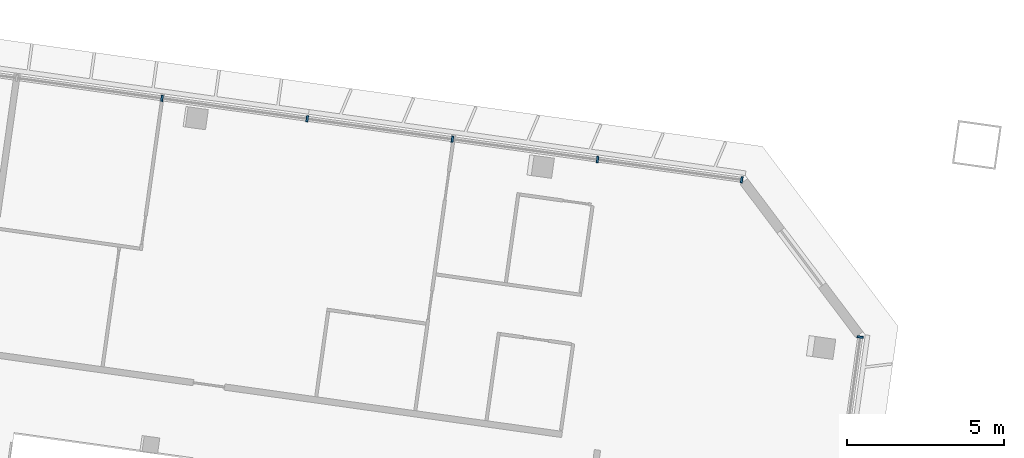
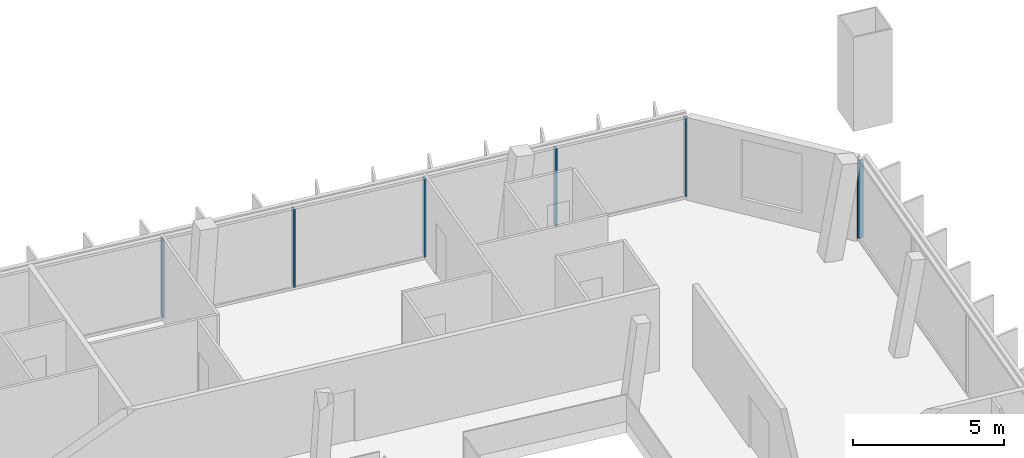
# One storey, part 6 of 20: 6 members, 2 elements without a shape of their own.
"""IFC4 building model written with IfcOpenShell, lengths in metres."""

from ifc_helpers import new_model, si_unit, direction, frame, origin, origin_2d, place, context, subcontext, project, spatial, rectangle, extrude, material, material_profile, profile_set, type_object, element, aggregate, save


model = new_model("IFC4")

# Units and contexts
model_context = context("Model", 3, precision=1e-05, world=origin(), true_north=direction((0.0, 1.0)))
body_context = subcontext(model_context, "Body", "Model", "MODEL_VIEW")
ifc_project = project(units=[si_unit("LENGTHUNIT", "METRE"), si_unit("AREAUNIT", "SQUARE_METRE"), si_unit("VOLUMEUNIT", "CUBIC_METRE"), si_unit("PLANEANGLEUNIT", "RADIAN"), si_unit("MASSUNIT", "GRAM", prefix="KILO")], contexts=[model_context])

# Site, building, storey
site_placement = place(None, origin())
site = spatial("IfcSite", under=ifc_project, at=site_placement, CompositionType="ELEMENT")
building_placement = place(site_placement, origin())
building = spatial("IfcBuilding", under=site, at=building_placement, Name="Mirante Cascada Hotel Towers", CompositionType="ELEMENT")
storey_placement = place(building_placement, frame((0.0, 0.0, 224.2)))
storey = spatial("IfcBuildingStorey", under=building, at=storey_placement, Name="L53", CompositionType="ELEMENT", Elevation=224.2)

# Curtain wall, members
ifc_material_1 = material(Name="Aluminium mullion and transom frame with clear laminated glass", Category="aluminium")
curtain_wall_type_1 = type_object("IfcCurtainWallType", Name="Ribbon curtain wall ECW1", PredefinedType="NOTDEFINED", material=ifc_material_1)
curtain_wall_1_placement = place(storey_placement, origin())
curtain_wall_1 = element("IfcCurtainWall", 1, at=curtain_wall_1_placement, inside=storey, type_object=curtain_wall_type_1, Name="Front ribbon wall T1 L53", PredefinedType="NOTDEFINED")
ifc_material_2 = material(Name="Anodised aluminium extrusion", Category="aluminium")
ifc_material_profile_1 = material_profile(ifc_material_2, rectangle(XDim=0.2, YDim=0.065, at=origin_2d()), Name="ECW1 MULLION 65x200")
ifc_profile_set_1 = profile_set([ifc_material_profile_1], Name="Anodised aluminium extrusion")
member_type_1 = type_object("IfcMemberType", Name="ECW1 mullion 65x200", PredefinedType="MULLION", material=ifc_profile_set_1)
member_1_placement = place(storey_placement, frame((-44.2433, 19.037, 0.1), z_axis=(0.0, 0.0, 1.0), x_axis=(0.1391731, 0.9902681, 0.0)))
member_1 = element("IfcMember", 2, at=member_1_placement, type_object=member_type_1, Name="ECW1 mullion 6", PredefinedType="MULLION", context=body_context, shape_type="SweptSolid", body=[
    extrude(rectangle(XDim=0.2, YDim=0.065, at=origin_2d()), origin(), (0.0, 0.0, 1.0), 3.15),
])
member_2_placement = place(storey_placement, frame((-39.6078, 18.3855, 0.1), z_axis=(0.0, 0.0, 1.0), x_axis=(0.1391731, 0.9902681, 0.0)))
member_2 = element("IfcMember", 3, at=member_2_placement, type_object=member_type_1, Name="ECW1 mullion 7", PredefinedType="MULLION", context=body_context, shape_type="SweptSolid", body=[
    extrude(rectangle(XDim=0.2, YDim=0.065, at=origin_2d()), origin(), (0.0, 0.0, 1.0), 3.15),
])
member_3_placement = place(storey_placement, frame((-34.9722, 17.7341, 0.1), z_axis=(0.0, 0.0, 1.0), x_axis=(0.1391731, 0.9902681, 0.0)))
member_3 = element("IfcMember", 4, at=member_3_placement, type_object=member_type_1, Name="ECW1 mullion 8", PredefinedType="MULLION", context=body_context, shape_type="SweptSolid", body=[
    extrude(rectangle(XDim=0.2, YDim=0.065, at=origin_2d()), origin(), (0.0, 0.0, 1.0), 3.15),
])
member_4_placement = place(storey_placement, frame((-30.3367, 17.0826, 0.1), z_axis=(0.0, 0.0, 1.0), x_axis=(0.1391731, 0.9902681, 0.0)))
member_4 = element("IfcMember", 5, at=member_4_placement, type_object=member_type_1, Name="ECW1 mullion 9", PredefinedType="MULLION", context=body_context, shape_type="SweptSolid", body=[
    extrude(rectangle(XDim=0.2, YDim=0.065, at=origin_2d()), origin(), (0.0, 0.0, 1.0), 3.15),
])
member_5_placement = place(storey_placement, frame((-25.7334, 16.4356, 0.1), z_axis=(0.0, 0.0, 1.0), x_axis=(0.1391731, 0.9902681, 0.0)))
member_5 = element("IfcMember", 6, at=member_5_placement, type_object=member_type_1, Name="ECW1 mullion 10", PredefinedType="MULLION", context=body_context, shape_type="SweptSolid", body=[
    extrude(rectangle(XDim=0.2, YDim=0.065, at=origin_2d()), origin(), (0.0, 0.0, 1.0), 3.15),
])
aggregate(curtain_wall_1, [member_1, member_2, member_3, member_4, member_5])

# Curtain wall, member
ifc_material_3 = material(Name="Aluminium mullion and transom frame with clear laminated glass", Category="aluminium")
curtain_wall_type_2 = type_object("IfcCurtainWallType", Name="End ribbon curtain wall ECW2", PredefinedType="NOTDEFINED", material=ifc_material_3)
curtain_wall_2_placement = place(storey_placement, origin())
curtain_wall_2 = element("IfcCurtainWall", 7, at=curtain_wall_2_placement, inside=storey, type_object=curtain_wall_type_2, Name="Inner end wall T1 L53", PredefinedType="NOTDEFINED")
ifc_material_4 = material(Name="Anodised aluminium extrusion", Category="aluminium")
ifc_material_profile_2 = material_profile(ifc_material_4, rectangle(XDim=0.2, YDim=0.065, at=origin_2d()), Name="ECW2 MULLION 65x200")
ifc_profile_set_2 = profile_set([ifc_material_profile_2], Name="Anodised aluminium extrusion")
member_type_2 = type_object("IfcMemberType", Name="ECW2 mullion 65x200", PredefinedType="MULLION", material=ifc_profile_set_2)
member_6_placement = place(storey_placement, frame((-21.9506, 11.4157, 0.1), z_axis=(0.0, 0.0, 1.0), x_axis=(0.9902681, -0.1391731, 0.0)))
member_6 = element("IfcMember", 8, at=member_6_placement, type_object=member_type_2, Name="ECW2 mullion 1", PredefinedType="MULLION", context=body_context, shape_type="SweptSolid", body=[
    extrude(rectangle(XDim=0.2, YDim=0.065, at=origin_2d()), origin(), (0.0, 0.0, 1.0), 3.15),
])
aggregate(curtain_wall_2, [member_6])

save(model, "model.ifc")
